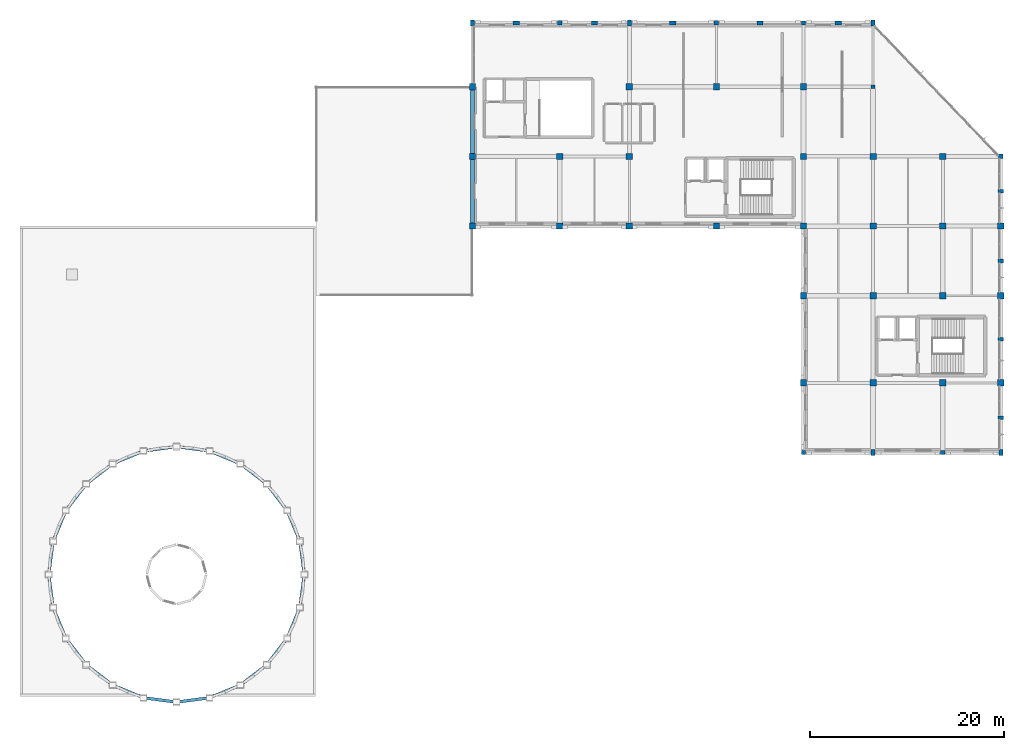
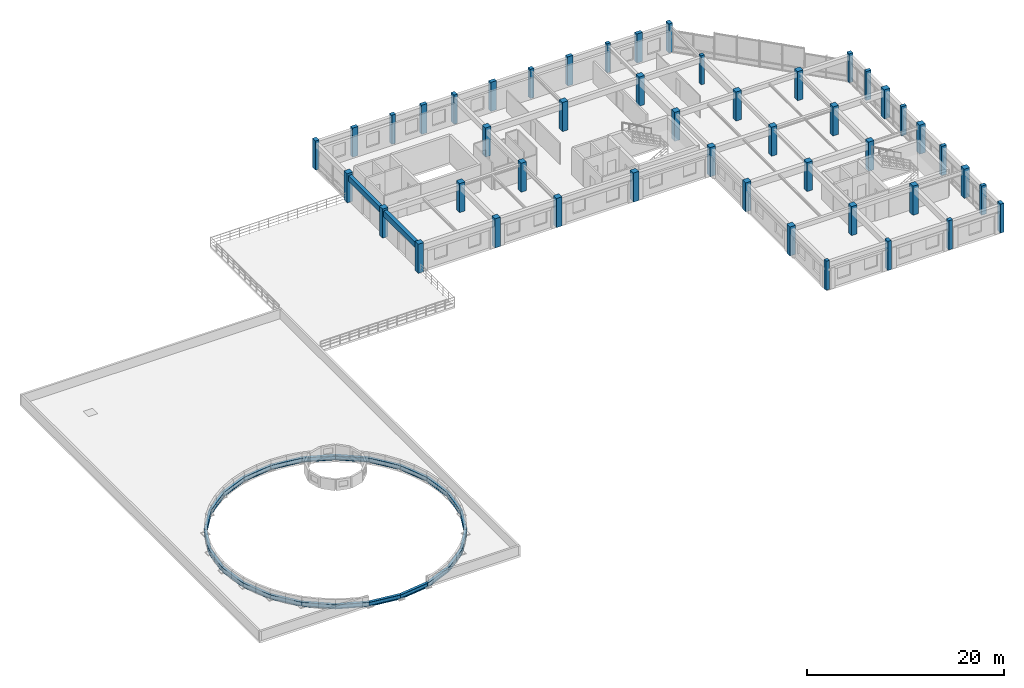
# One storey, part 1 of 18: 47 columns, 26 beams.
"""IFC4 building model written with IfcOpenShell, lengths in metres."""

from ifc_helpers import new_model, si_unit, direction, frame, origin, origin_2d, place, context, subcontext, project, spatial, rectangle, i_section, extrude, material, material_profile, profile_set, type_object, element, save


model = new_model("IFC4")

# Units and contexts
model_context = context("Model", 3, precision=1e-05, world=origin(), true_north=direction((0.0, 1.0)))
body_context = subcontext(model_context, "Body", "Model", "MODEL_VIEW")
ifc_project = project(units=[si_unit("LENGTHUNIT", "METRE"), si_unit("AREAUNIT", "SQUARE_METRE"), si_unit("VOLUMEUNIT", "CUBIC_METRE"), si_unit("PLANEANGLEUNIT", "RADIAN"), si_unit("MASSUNIT", "GRAM", prefix="KILO")], contexts=[model_context])

# Site, building, storey
site_placement = place(None, origin())
site = spatial("IfcSite", under=ifc_project, at=site_placement, CompositionType="ELEMENT")
building_placement = place(site_placement, origin())
building = spatial("IfcBuilding", under=site, at=building_placement, Name="Clarverna Civic Hall", CompositionType="ELEMENT")
storey_placement = place(building_placement, frame((0.0, 0.0, 20.39990234375)))
storey = spatial("IfcBuildingStorey", under=building, at=storey_placement, Name="L05", CompositionType="ELEMENT", Elevation=20.39990234375)

# Columns
ifc_material_1 = material(Name="Precast concrete C40/50", Category="concrete")
ifc_material_profile_1 = material_profile(ifc_material_1, rectangle(XDim=0.64990234375, YDim=0.419921875, at=origin_2d()), Name="PILASTER 650x420")
ifc_profile_set_1 = profile_set([ifc_material_profile_1], Name="Precast concrete C40/50")
column_type_1 = type_object("IfcColumnType", Name="C-PL1", PredefinedType="PILASTER", material=ifc_profile_set_1)
for number, where, z_axis, x_axis, name in (
    (1, (117.89990234375, 116.0, 0.0), (0.0, 0.0, 1.0), (1.0, 0.0, 0.0), "C-PL1-007"),
    (2, (126.0, 116.0, 0.0), (0.0, 0.0, 1.0), (1.0, 0.0, 0.0), "C-PL1-014"),
    (3, (134.10009765625, 116.0, 0.0), (0.0, 0.0, 1.0), (1.0, 0.0, 0.0), "C-PL1-021"),
    (4, (143.10009765625, 116.0, 0.0), (0.0, 0.0, 1.0), (1.0, 0.0, 0.0), "C-PL1-028"),
    (5, (151.199951171875, 116.0, 0.0), (0.0, 0.0, 1.0), (1.0, 0.0, 0.0), "C-PL1-035"),
):
    element("IfcColumn", number, at=place(storey_placement, frame(where, z_axis=z_axis, x_axis=x_axis)), inside=storey, type_object=column_type_1, Name=name, PredefinedType="PILASTER", context=body_context, shape_type="SweptSolid", body=[
        extrude(rectangle(XDim=0.64990234375, YDim=0.419921875, at=origin_2d()), origin(), (0.0, 0.0, 1.0), 3.60009765625),
    ])
ifc_material_profile_2 = material_profile(ifc_material_1, rectangle(XDim=0.580078125, YDim=0.3798828125, at=origin_2d()), Name="PILASTER 580x380")
ifc_profile_set_2 = profile_set([ifc_material_profile_2], Name="Precast concrete C40/50")
column_type_2 = type_object("IfcColumnType", Name="C-PL2", PredefinedType="PILASTER", material=ifc_profile_set_2)
for number, where, z_axis, x_axis, name in (
    (6, (168.0, 75.199951171875, 0.0), (0.0, 0.0, 1.0), (1.0, 0.0, 0.0), "C-PL2-007"),
    (7, (168.0, 83.300048828125, 0.0), (0.0, 0.0, 1.0), (1.0, 0.0, 0.0), "C-PL2-014"),
    (8, (168.0, 91.39990234375, 0.0), (0.0, 0.0, 1.0), (1.0, 0.0, 0.0), "C-PL2-021"),
    (9, (168.0, 98.60009765625, 0.0), (0.0, 0.0, 1.0), (1.0, 0.0, 0.0), "C-PL2-028"),
):
    element("IfcColumn", number, at=place(storey_placement, frame(where, z_axis=z_axis, x_axis=x_axis)), inside=storey, type_object=column_type_2, Name=name, PredefinedType="PILASTER", context=body_context, shape_type="SweptSolid", body=[
        extrude(rectangle(XDim=0.580078125, YDim=0.3798828125, at=origin_2d()), origin(), (0.0, 0.0, 1.0), 3.60009765625),
    ])
ifc_material_2 = material(Name="Concrete C35/45", Category="concrete")
ifc_material_profile_3 = material_profile(ifc_material_2, rectangle(XDim=0.449951171875, YDim=0.449951171875, at=origin_2d()), Name="RC 450x450")
ifc_profile_set_3 = profile_set([ifc_material_profile_3], Name="Concrete C35/45")
column_type_3 = type_object("IfcColumnType", Name="C-RC13", PredefinedType="COLUMN", material=ifc_profile_set_3)
for number, where, z_axis, x_axis, name in (
    (10, (122.39990234375, 116.0, 0.0), (0.0, 0.0, 1.0), (1.0, 0.0, 0.0), "C-RC13-030"),
    (11, (138.60009765625, 116.0, 0.0), (0.0, 0.0, 1.0), (1.0, 0.0, 0.0), "C-RC13-032"),
    (12, (162.0, 71.60009765625, 0.0), (0.0, 0.0, 1.0), (1.0, 0.0, 0.0), "C-RC13-037"),
    (13, (168.0, 102.199951171875, 0.0), (0.0, 0.0, 1.0), (1.0, 0.0, 0.0), "C-RC13-039"),
):
    element("IfcColumn", number, at=place(storey_placement, frame(where, z_axis=z_axis, x_axis=x_axis)), inside=storey, type_object=column_type_3, Name=name, PredefinedType="COLUMN", context=body_context, shape_type="SweptSolid", body=[
        extrude(rectangle(XDim=0.449951171875, YDim=0.449951171875, at=origin_2d()), origin(), (0.0, 0.0, 1.0), 3.60009765625),
    ])
ifc_material_profile_4 = material_profile(ifc_material_2, rectangle(XDim=0.39990234375, YDim=0.39990234375, at=origin_2d()), Name="RC 400x400")
ifc_profile_set_4 = profile_set([ifc_material_profile_4], Name="Concrete C35/45")
column_type_4 = type_object("IfcColumnType", Name="C-RC14", PredefinedType="COLUMN", material=ifc_profile_set_4)
for number, where, z_axis, x_axis, name in (
    (14, (147.60009765625, 71.60009765625, 0.0), (0.0, 0.0, 1.0), (1.0, 0.0, 0.0), "C-RC14-008"),
    (15, (147.60009765625, 116.0, 0.0), (0.0, 0.0, 1.0), (1.0, 0.0, 0.0), "C-RC14-010"),
    (16, (154.800048828125, 109.39990234375, 0.0), (0.0, 0.0, 1.0), (1.0, 0.0, 0.0), "C-RC14-012"),
):
    element("IfcColumn", number, at=place(storey_placement, frame(where, z_axis=z_axis, x_axis=x_axis)), inside=storey, type_object=column_type_4, Name=name, PredefinedType="COLUMN", context=body_context, shape_type="SweptSolid", body=[
        extrude(rectangle(XDim=0.39990234375, YDim=0.39990234375, at=origin_2d()), origin(), (0.0, 0.0, 1.0), 3.60009765625),
    ])
ifc_material_profile_5 = material_profile(ifc_material_2, rectangle(XDim=0.39990234375, YDim=0.60009765625, at=origin_2d()), Name="RC 400x600")
ifc_profile_set_5 = profile_set([ifc_material_profile_5], Name="Concrete C35/45")
column_type_5 = type_object("IfcColumnType", Name="C-RC19", PredefinedType="COLUMN", material=ifc_profile_set_5)
for number, where, z_axis, x_axis, name in (
    (17, (113.39990234375, 116.0, 0.0), (0.0, 0.0, 1.0), (1.0, 0.0, 0.0), "C-RC19-008"),
    (18, (129.60009765625, 116.0, 0.0), (0.0, 0.0, 1.0), (1.0, 0.0, 0.0), "C-RC19-010"),
    (19, (154.800048828125, 71.60009765625, 0.0), (0.0, 0.0, 1.0), (1.0, 0.0, 0.0), "C-RC19-012"),
    (20, (154.800048828125, 116.0, 0.0), (0.0, 0.0, 1.0), (1.0, 0.0, 0.0), "C-RC19-014"),
    (21, (168.0, 71.60009765625, 0.0), (0.0, 0.0, 1.0), (1.0, 0.0, 0.0), "C-RC19-016"),
):
    element("IfcColumn", number, at=place(storey_placement, frame(where, z_axis=z_axis, x_axis=x_axis)), inside=storey, type_object=column_type_5, Name=name, PredefinedType="COLUMN", context=body_context, shape_type="SweptSolid", body=[
        extrude(rectangle(XDim=0.39990234375, YDim=0.60009765625, at=origin_2d()), origin(), (0.0, 0.0, 1.0), 3.60009765625),
    ])
ifc_material_profile_6 = material_profile(ifc_material_2, rectangle(XDim=0.64990234375, YDim=0.64990234375, at=origin_2d()), Name="RC 650x650")
ifc_profile_set_6 = profile_set([ifc_material_profile_6], Name="Concrete C35/45")
column_type_6 = type_object("IfcColumnType", Name="C-RC9", PredefinedType="COLUMN", material=ifc_profile_set_6)
for number, where, z_axis, x_axis, name in (
    (22, (113.39990234375, 95.0, 0.0), (0.0, 0.0, 1.0), (1.0, 0.0, 0.0), "C-RC9-043"),
    (23, (113.39990234375, 102.199951171875, 0.0), (0.0, 0.0, 1.0), (1.0, 0.0, 0.0), "C-RC9-044"),
    (24, (113.39990234375, 109.39990234375, 0.0), (0.0, 0.0, 1.0), (1.0, 0.0, 0.0), "C-RC9-045"),
    (25, (122.39990234375, 95.0, 0.0), (0.0, 0.0, 1.0), (1.0, 0.0, 0.0), "C-RC9-046"),
    (26, (122.39990234375, 102.199951171875, 0.0), (0.0, 0.0, 1.0), (1.0, 0.0, 0.0), "C-RC9-047"),
    (27, (129.60009765625, 95.0, 0.0), (0.0, 0.0, 1.0), (1.0, 0.0, 0.0), "C-RC9-048"),
    (28, (129.60009765625, 102.199951171875, 0.0), (0.0, 0.0, 1.0), (1.0, 0.0, 0.0), "C-RC9-049"),
    (29, (129.60009765625, 109.39990234375, 0.0), (0.0, 0.0, 1.0), (1.0, 0.0, 0.0), "C-RC9-050"),
    (30, (138.60009765625, 95.0, 0.0), (0.0, 0.0, 1.0), (1.0, 0.0, 0.0), "C-RC9-051"),
    (31, (138.60009765625, 109.39990234375, 0.0), (0.0, 0.0, 1.0), (1.0, 0.0, 0.0), "C-RC9-052"),
    (32, (147.60009765625, 78.800048828125, 0.0), (0.0, 0.0, 1.0), (1.0, 0.0, 0.0), "C-RC9-054"),
    (33, (147.60009765625, 87.800048828125, 0.0), (0.0, 0.0, 1.0), (1.0, 0.0, 0.0), "C-RC9-055"),
    (34, (147.60009765625, 95.0, 0.0), (0.0, 0.0, 1.0), (1.0, 0.0, 0.0), "C-RC9-056"),
    (35, (147.60009765625, 102.199951171875, 0.0), (0.0, 0.0, 1.0), (1.0, 0.0, 0.0), "C-RC9-057"),
    (36, (147.60009765625, 109.39990234375, 0.0), (0.0, 0.0, 1.0), (1.0, 0.0, 0.0), "C-RC9-058"),
    (37, (154.800048828125, 78.800048828125, 0.0), (0.0, 0.0, 1.0), (1.0, 0.0, 0.0), "C-RC9-060"),
    (38, (154.800048828125, 87.800048828125, 0.0), (0.0, 0.0, 1.0), (1.0, 0.0, 0.0), "C-RC9-061"),
    (39, (154.800048828125, 95.0, 0.0), (0.0, 0.0, 1.0), (1.0, 0.0, 0.0), "C-RC9-062"),
    (40, (154.800048828125, 102.199951171875, 0.0), (0.0, 0.0, 1.0), (1.0, 0.0, 0.0), "C-RC9-063"),
    (41, (162.0, 78.800048828125, 0.0), (0.0, 0.0, 1.0), (1.0, 0.0, 0.0), "C-RC9-065"),
    (42, (162.0, 87.800048828125, 0.0), (0.0, 0.0, 1.0), (1.0, 0.0, 0.0), "C-RC9-066"),
    (43, (162.0, 95.0, 0.0), (0.0, 0.0, 1.0), (1.0, 0.0, 0.0), "C-RC9-067"),
    (44, (162.0, 102.199951171875, 0.0), (0.0, 0.0, 1.0), (1.0, 0.0, 0.0), "C-RC9-068"),
    (45, (168.0, 78.800048828125, 0.0), (0.0, 0.0, 1.0), (1.0, 0.0, 0.0), "C-RC9-069"),
    (46, (168.0, 87.800048828125, 0.0), (0.0, 0.0, 1.0), (1.0, 0.0, 0.0), "C-RC9-070"),
    (47, (168.0, 95.0, 0.0), (0.0, 0.0, 1.0), (1.0, 0.0, 0.0), "C-RC9-071"),
):
    element("IfcColumn", number, at=place(storey_placement, frame(where, z_axis=z_axis, x_axis=x_axis)), inside=storey, type_object=column_type_6, Name=name, PredefinedType="COLUMN", context=body_context, shape_type="SweptSolid", body=[
        extrude(rectangle(XDim=0.64990234375, YDim=0.64990234375, at=origin_2d()), origin(), (0.0, 0.0, 1.0), 3.60009765625),
    ])

# Beams
ifc_material_profile_7 = material_profile(ifc_material_2, rectangle(XDim=0.419921875, YDim=0.719970703125, at=origin_2d()), Name="RC 420x720")
ifc_profile_set_7 = profile_set([ifc_material_profile_7], Name="Concrete C35/45")
beam_type_1 = type_object("IfcBeamType", Name="B-SP1", PredefinedType="SPANDREL", material=ifc_profile_set_7)
beam_1_placement = place(storey_placement, frame((113.39990234375, 95.324951171875, 2.97998046875), z_axis=(0.0, 1.0, 0.0), x_axis=(-1.0, 0.0, 0.0)))
element("IfcBeam", 48, at=beam_1_placement, inside=storey, type_object=beam_type_1, Name="B-SP1-147", PredefinedType="SPANDREL", context=body_context, shape_type="SweptSolid", body=[
    extrude(rectangle(XDim=0.419921875, YDim=0.719970703125, at=origin_2d()), origin(), (0.0, 0.0, 1.0), 6.550048828125),
])
ifc_material_profile_8 = material_profile(ifc_material_2, rectangle(XDim=0.3798828125, YDim=0.679931640625, at=origin_2d()), Name="RC 380x680")
ifc_profile_set_8 = profile_set([ifc_material_profile_8], Name="Concrete C35/45")
beam_type_2 = type_object("IfcBeamType", Name="B-SP2", PredefinedType="SPANDREL", material=ifc_profile_set_8)
beam_2_placement = place(storey_placement, frame((113.39990234375, 102.52490234375, 3.0), z_axis=(0.0, 1.0, 0.0), x_axis=(-1.0, 0.0, 0.0)))
element("IfcBeam", 49, at=beam_2_placement, inside=storey, type_object=beam_type_2, Name="B-SP2-154", PredefinedType="SPANDREL", context=body_context, shape_type="SweptSolid", body=[
    extrude(rectangle(XDim=0.3798828125, YDim=0.679931640625, at=origin_2d()), origin(), (0.0, 0.0, 1.0), 6.550048828125),
])
ifc_material_3 = material(Name="Steel S355", Category="steel")
ifc_material_profile_9 = material_profile(ifc_material_3, i_section(OverallWidth=0.300048828125, OverallDepth=0.550048828125, WebThickness=0.014892578125, FlangeThickness=0.029052734375, FilletRadius=0.027099609375, at=origin_2d()), Name="HEB 550")
ifc_profile_set_9 = profile_set([ifc_material_profile_9], Name="Steel S355")
beam_type_3 = type_object("IfcBeamType", Name="RB-DR1", PredefinedType="BEAM", material=ifc_profile_set_9)
for number, where, z_axis, x_axis, name in (
    (50, (96.0, 59.0, 0.275146484375), (-0.130502162456, 0.991448024656, 0.0), (-0.991448024656, -0.130502162456, 0.0), "Dome Base Ring Beam RB-DR1-01"),
    (51, (95.55029296875, 62.41650390625, 0.275146484375), (-0.382723050626, 0.923863121095, 0.0), (-0.923863121095, -0.382723050626, 0.0), "Dome Base Ring Beam RB-DR1-02"),
):
    element("IfcBeam", number, at=place(storey_placement, frame(where, z_axis=z_axis, x_axis=x_axis)), inside=storey, type_object=beam_type_3, Name=name, PredefinedType="BEAM", context=body_context, shape_type="SweptSolid", body=[
        extrude(i_section(OverallWidth=0.300048828125, OverallDepth=0.550048828125, WebThickness=0.014892578125, FlangeThickness=0.029052734375, FilletRadius=0.027099609375, at=origin_2d()), origin(), (0.0, 0.0, 1.0), 3.446044921875),
    ])
for number, where, z_axis, x_axis, name in (
    (52, (94.2314453125, 65.60009765625, 0.275146484375), (-0.608772119258, 0.79334513726, 0.0), (-0.79334513726, -0.608772119258, 0.0), "Dome Base Ring Beam RB-DR1-03"),
    (53, (92.1337890625, 68.333740234375, 0.275146484375), (-0.793371393551, 0.608737900821, 0.0), (-0.608737900821, -0.793371393551, 0.0), "Dome Base Ring Beam RB-DR1-04"),
):
    element("IfcBeam", number, at=place(storey_placement, frame(where, z_axis=z_axis, x_axis=x_axis)), inside=storey, type_object=beam_type_3, Name=name, PredefinedType="BEAM", context=body_context, shape_type="SweptSolid", body=[
        extrude(i_section(OverallWidth=0.300048828125, OverallDepth=0.550048828125, WebThickness=0.014892578125, FlangeThickness=0.029052734375, FilletRadius=0.027099609375, at=origin_2d()), origin(), (0.0, 0.0, 1.0), 3.44580078125),
    ])
beam_3_placement = place(storey_placement, frame((89.39990234375, 70.431396484375, 0.275146484375), z_axis=(-0.923863121095, 0.382723050626, 0.0), x_axis=(-0.382723050626, -0.923863121095, 0.0)))
element("IfcBeam", 54, at=beam_3_placement, inside=storey, type_object=beam_type_3, Name="Dome Base Ring Beam RB-DR1-05", PredefinedType="BEAM", context=body_context, shape_type="SweptSolid", body=[
    extrude(i_section(OverallWidth=0.300048828125, OverallDepth=0.550048828125, WebThickness=0.014892578125, FlangeThickness=0.029052734375, FilletRadius=0.027099609375, at=origin_2d()), origin(), (0.0, 0.0, 1.0), 3.446044921875),
])
beam_4_placement = place(storey_placement, frame((86.21630859375, 71.750244140625, 0.275146484375), z_axis=(-0.991446817928, 0.130511329852, 0.0), x_axis=(-0.130511329852, -0.991446817928, 0.0)))
element("IfcBeam", 55, at=beam_4_placement, inside=storey, type_object=beam_type_3, Name="Dome Base Ring Beam RB-DR1-06", PredefinedType="BEAM", context=body_context, shape_type="SweptSolid", body=[
    extrude(i_section(OverallWidth=0.300048828125, OverallDepth=0.550048828125, WebThickness=0.014892578125, FlangeThickness=0.029052734375, FilletRadius=0.027099609375, at=origin_2d()), origin(), (0.0, 0.0, 1.0), 3.44580078125),
])
for number, where, z_axis, x_axis, name in (
    (56, (82.800048828125, 72.199951171875, 0.275146484375), (-0.991448024656, -0.130502162456, 0.0), (0.130502162456, -0.991448024656, 0.0), "Dome Base Ring Beam RB-DR1-07"),
    (57, (79.383544921875, 71.750244140625, 0.275146484375), (-0.923863121095, -0.382723050626, 0.0), (0.382723050626, -0.923863121095, 0.0), "Dome Base Ring Beam RB-DR1-08"),
):
    element("IfcBeam", number, at=place(storey_placement, frame(where, z_axis=z_axis, x_axis=x_axis)), inside=storey, type_object=beam_type_3, Name=name, PredefinedType="BEAM", context=body_context, shape_type="SweptSolid", body=[
        extrude(i_section(OverallWidth=0.300048828125, OverallDepth=0.550048828125, WebThickness=0.014892578125, FlangeThickness=0.029052734375, FilletRadius=0.027099609375, at=origin_2d()), origin(), (0.0, 0.0, 1.0), 3.446044921875),
    ])
for number, where, z_axis, x_axis, name in (
    (58, (76.199951171875, 70.431396484375, 0.275146484375), (-0.79334513726, -0.608772119258, 0.0), (0.608772119258, -0.79334513726, 0.0), "Dome Base Ring Beam RB-DR1-09"),
    (59, (73.46630859375, 68.333740234375, 0.275146484375), (-0.608816711234, -0.793310917687, 0.0), (0.793310917687, -0.608816711234, 0.0), "Dome Base Ring Beam RB-DR1-10"),
    (60, (71.368408203125, 65.60009765625, 0.275146484375), (-0.382662577423, -0.923888170635, 0.0), (0.923888170635, -0.382662577423, 0.0), "Dome Base Ring Beam RB-DR1-11"),
):
    element("IfcBeam", number, at=place(storey_placement, frame(where, z_axis=z_axis, x_axis=x_axis)), inside=storey, type_object=beam_type_3, Name=name, PredefinedType="BEAM", context=body_context, shape_type="SweptSolid", body=[
        extrude(i_section(OverallWidth=0.300048828125, OverallDepth=0.550048828125, WebThickness=0.014892578125, FlangeThickness=0.029052734375, FilletRadius=0.027099609375, at=origin_2d()), origin(), (0.0, 0.0, 1.0), 3.44580078125),
    ])
for number, where, z_axis, x_axis, name in (
    (61, (70.0498046875, 62.41650390625, 0.275146484375), (-0.130502162456, -0.991448024656, 0.0), (0.991448024656, -0.130502162456, 0.0), "Dome Base Ring Beam RB-DR1-12"),
    (62, (69.60009765625, 59.0, 0.275146484375), (0.130502162456, -0.991448024656, 0.0), (0.991448024656, 0.130502162456, 0.0), "Dome Base Ring Beam RB-DR1-13"),
):
    element("IfcBeam", number, at=place(storey_placement, frame(where, z_axis=z_axis, x_axis=x_axis)), inside=storey, type_object=beam_type_3, Name=name, PredefinedType="BEAM", context=body_context, shape_type="SweptSolid", body=[
        extrude(i_section(OverallWidth=0.300048828125, OverallDepth=0.550048828125, WebThickness=0.014892578125, FlangeThickness=0.029052734375, FilletRadius=0.027099609375, at=origin_2d()), origin(), (0.0, 0.0, 1.0), 3.446044921875),
    ])
for number, where, z_axis, x_axis, name in (
    (63, (70.0498046875, 55.58349609375, 0.275146484375), (0.382662577423, -0.923888170635, 0.0), (0.923888170635, 0.382662577423, 0.0), "Dome Base Ring Beam RB-DR1-14"),
    (64, (71.368408203125, 52.39990234375, 0.275146484375), (0.608816711234, -0.793310917687, 0.0), (0.793310917687, 0.608816711234, 0.0), "Dome Base Ring Beam RB-DR1-15"),
    (65, (73.46630859375, 49.666259765625, 0.275146484375), (0.79334513726, -0.608772119258, 0.0), (0.608772119258, 0.79334513726, 0.0), "Dome Base Ring Beam RB-DR1-16"),
):
    element("IfcBeam", number, at=place(storey_placement, frame(where, z_axis=z_axis, x_axis=x_axis)), inside=storey, type_object=beam_type_3, Name=name, PredefinedType="BEAM", context=body_context, shape_type="SweptSolid", body=[
        extrude(i_section(OverallWidth=0.300048828125, OverallDepth=0.550048828125, WebThickness=0.014892578125, FlangeThickness=0.029052734375, FilletRadius=0.027099609375, at=origin_2d()), origin(), (0.0, 0.0, 1.0), 3.44580078125),
    ])
for number, where, z_axis, x_axis, name in (
    (66, (76.199951171875, 47.568603515625, 0.275146484375), (0.923863121095, -0.382723050626, 0.0), (0.382723050626, 0.923863121095, 0.0), "Dome Base Ring Beam RB-DR1-17"),
    (67, (79.383544921875, 46.249755859375, 0.275146484375), (0.991448024656, -0.130502162456, 0.0), (0.130502162456, 0.991448024656, 0.0), "Dome Base Ring Beam RB-DR1-18"),
):
    element("IfcBeam", number, at=place(storey_placement, frame(where, z_axis=z_axis, x_axis=x_axis)), inside=storey, type_object=beam_type_3, Name=name, PredefinedType="BEAM", context=body_context, shape_type="SweptSolid", body=[
        extrude(i_section(OverallWidth=0.300048828125, OverallDepth=0.550048828125, WebThickness=0.014892578125, FlangeThickness=0.029052734375, FilletRadius=0.027099609375, at=origin_2d()), origin(), (0.0, 0.0, 1.0), 3.446044921875),
    ])
beam_5_placement = place(storey_placement, frame((82.800048828125, 45.800048828125, 0.275146484375), z_axis=(0.991446817928, 0.130511329852, 0.0), x_axis=(-0.130511329852, 0.991446817928, 0.0)))
element("IfcBeam", 68, at=beam_5_placement, inside=storey, type_object=beam_type_3, Name="Dome Base Ring Beam RB-DR1-19", PredefinedType="BEAM", context=body_context, shape_type="SweptSolid", body=[
    extrude(i_section(OverallWidth=0.300048828125, OverallDepth=0.550048828125, WebThickness=0.014892578125, FlangeThickness=0.029052734375, FilletRadius=0.027099609375, at=origin_2d()), origin(), (0.0, 0.0, 1.0), 3.44580078125),
])
beam_6_placement = place(storey_placement, frame((86.21630859375, 46.249755859375, 0.275146484375), z_axis=(0.923863121095, 0.382723050626, 0.0), x_axis=(-0.382723050626, 0.923863121095, 0.0)))
element("IfcBeam", 69, at=beam_6_placement, inside=storey, type_object=beam_type_3, Name="Dome Base Ring Beam RB-DR1-20", PredefinedType="BEAM", context=body_context, shape_type="SweptSolid", body=[
    extrude(i_section(OverallWidth=0.300048828125, OverallDepth=0.550048828125, WebThickness=0.014892578125, FlangeThickness=0.029052734375, FilletRadius=0.027099609375, at=origin_2d()), origin(), (0.0, 0.0, 1.0), 3.446044921875),
])
for number, where, z_axis, x_axis, name in (
    (70, (89.39990234375, 47.568603515625, 0.275146484375), (0.793371393551, 0.608737900821, 0.0), (-0.608737900821, 0.793371393551, 0.0), "Dome Base Ring Beam RB-DR1-21"),
    (71, (92.1337890625, 49.666259765625, 0.275146484375), (0.608772119258, 0.79334513726, 0.0), (-0.79334513726, 0.608772119258, 0.0), "Dome Base Ring Beam RB-DR1-22"),
):
    element("IfcBeam", number, at=place(storey_placement, frame(where, z_axis=z_axis, x_axis=x_axis)), inside=storey, type_object=beam_type_3, Name=name, PredefinedType="BEAM", context=body_context, shape_type="SweptSolid", body=[
        extrude(i_section(OverallWidth=0.300048828125, OverallDepth=0.550048828125, WebThickness=0.014892578125, FlangeThickness=0.029052734375, FilletRadius=0.027099609375, at=origin_2d()), origin(), (0.0, 0.0, 1.0), 3.44580078125),
    ])
for number, where, z_axis, x_axis, name in (
    (72, (94.2314453125, 52.39990234375, 0.275146484375), (0.382723050626, 0.923863121095, 0.0), (-0.923863121095, 0.382723050626, 0.0), "Dome Base Ring Beam RB-DR1-23"),
    (73, (95.55029296875, 55.58349609375, 0.275146484375), (0.130502162456, 0.991448024656, 0.0), (-0.991448024656, 0.130502162456, 0.0), "Dome Base Ring Beam RB-DR1-24"),
):
    element("IfcBeam", number, at=place(storey_placement, frame(where, z_axis=z_axis, x_axis=x_axis)), inside=storey, type_object=beam_type_3, Name=name, PredefinedType="BEAM", context=body_context, shape_type="SweptSolid", body=[
        extrude(i_section(OverallWidth=0.300048828125, OverallDepth=0.550048828125, WebThickness=0.014892578125, FlangeThickness=0.029052734375, FilletRadius=0.027099609375, at=origin_2d()), origin(), (0.0, 0.0, 1.0), 3.446044921875),
    ])

save(model, "model.ifc")
